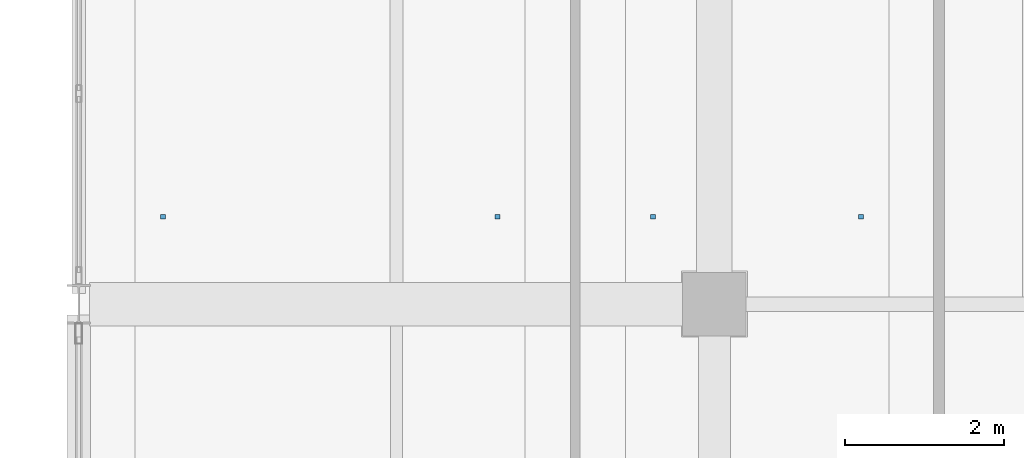
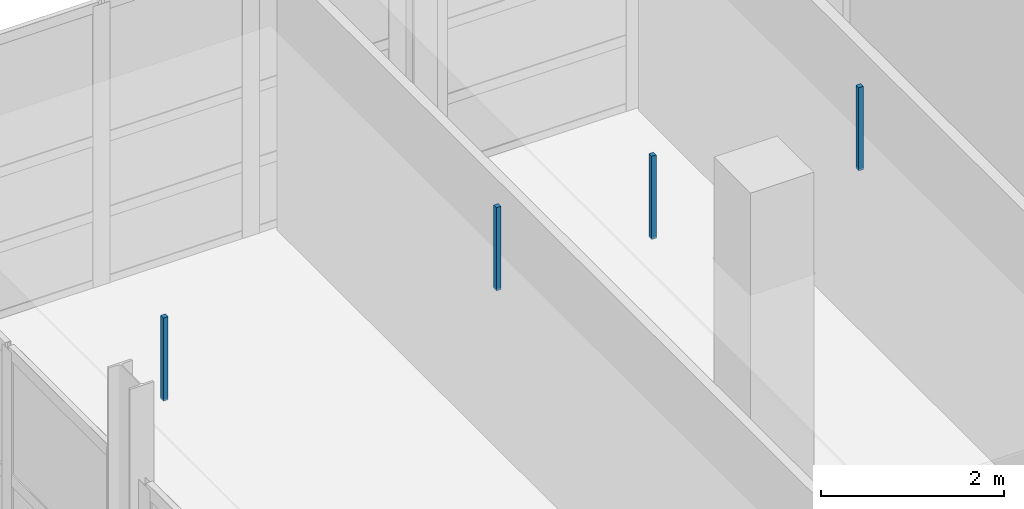
# One storey, part 117 of 141: 4 discrete accessories.
"""IFC4 building model written with IfcOpenShell, lengths in metres."""

from ifc_helpers import new_model, si_unit, direction, frame, origin, origin_2d, place, context, subcontext, project, spatial, rectangle, extrude, material, type_object, element, save


model = new_model("IFC4")

# Units and contexts
model_context = context("Model", 3, precision=1e-05, world=origin(), true_north=direction((0.0, 1.0)))
body_context = subcontext(model_context, "Body", "Model", "MODEL_VIEW")
ifc_project = project(units=[si_unit("LENGTHUNIT", "METRE"), si_unit("AREAUNIT", "SQUARE_METRE"), si_unit("VOLUMEUNIT", "CUBIC_METRE"), si_unit("PLANEANGLEUNIT", "RADIAN"), si_unit("MASSUNIT", "GRAM", prefix="KILO")], contexts=[model_context])

# Site, building, storey
site_placement = place(None, origin())
site = spatial("IfcSite", under=ifc_project, at=site_placement, CompositionType="ELEMENT")
building_placement = place(site_placement, origin())
building = spatial("IfcBuilding", under=site, at=building_placement, Name="Khelvaren Railside Concert Hall", CompositionType="ELEMENT")
storey_placement = place(building_placement, frame((0.0, 0.0, 10.199951171875)))
storey = spatial("IfcBuildingStorey", under=building, at=storey_placement, Name="L02", CompositionType="ELEMENT", Elevation=10.199951171875)

# Discrete accessories
ifc_material = material(Name="Galvanised steel acoustic ceiling hanger rod", Category="steel")
discrete_accessory_type = type_object("IfcDiscreteAccessoryType", Name="BRK62", PredefinedType="BRACKET", material=ifc_material)
for number, where, z_axis, x_axis, name in (
    (1, (145.06005859375, 31.5, 3.43017578125), (0.0, 0.0, 1.0), (1.0, 0.0, 0.0), "Acoustic Ceiling Suspension Bracket 57-1"),
    (2, (149.26904296875, 31.5, 3.43017578125), (0.0, 0.0, 1.0), (1.0, 0.0, 0.0), "Acoustic Ceiling Suspension Bracket 57-2"),
    (3, (151.22900390625, 31.5, 3.43017578125), (0.0, 0.0, 1.0), (1.0, 0.0, 0.0), "Acoustic Ceiling Suspension Bracket 58-1"),
    (4, (153.845947265625, 31.5, 3.43017578125), (0.0, 0.0, 1.0), (1.0, 0.0, 0.0), "Acoustic Ceiling Suspension Bracket 58-2"),
):
    element("IfcDiscreteAccessory", number, at=place(storey_placement, frame(where, z_axis=z_axis, x_axis=x_axis)), inside=storey, type_object=discrete_accessory_type, Name=name, PredefinedType="BRACKET", context=body_context, shape_type="SweptSolid", body=[
        extrude(rectangle(XDim=0.06005859375, YDim=0.06005859375, at=origin_2d()), origin(), (0.0, 0.0, 1.0), 1.110107421875),
    ])

save(model, "model.ifc")
